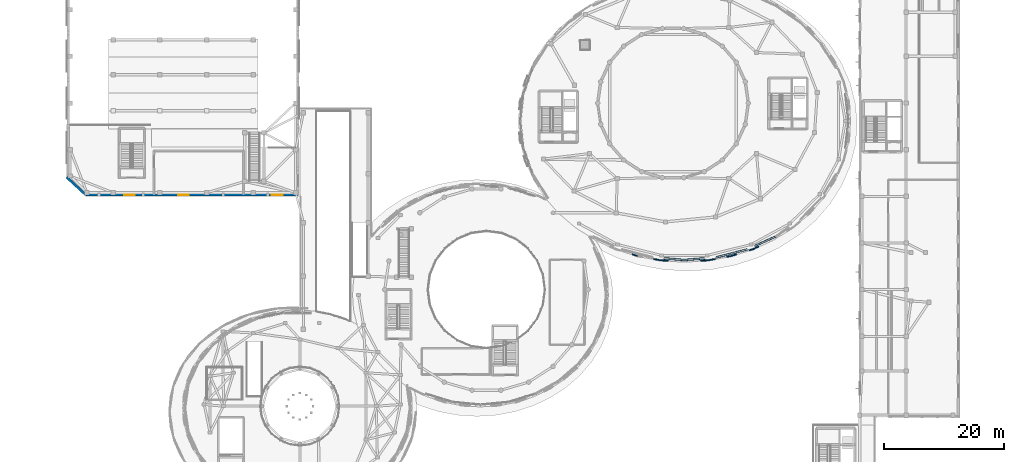
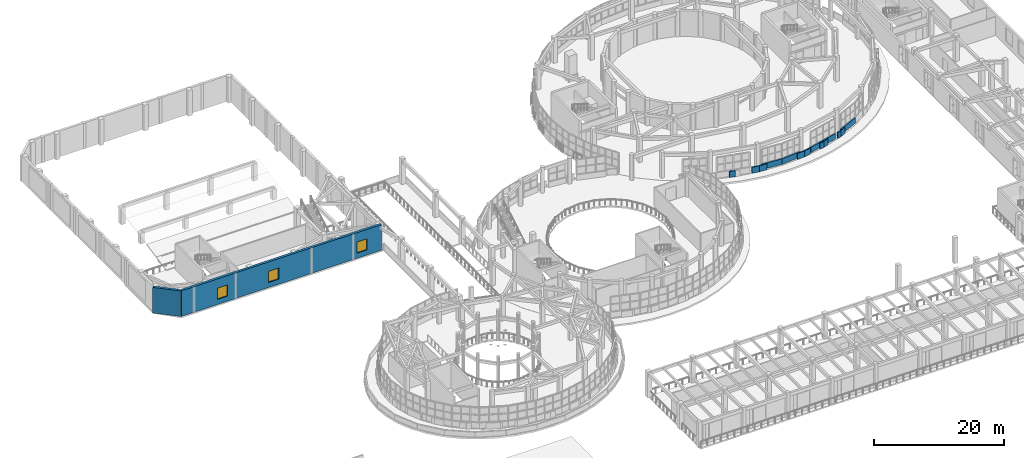
# One storey, part 74 of 98: 15 walls, 3 windows, 3 openings.
"""IFC4 building model written with IfcOpenShell, lengths in metres."""

import ifcopenshell
import ifcopenshell.guid

model = None  # the IFC model being written
_history = None  # IfcOwnerHistory: only IFC2X3 demands one
_inside = {}  # id of a spatial element -> (the spatial element, [elements in it])
_under = {}  # id of a project, library or spatial element -> (it, [spatial elements below it])
_declared = {}  # id of a project -> (the project, [libraries it declares])
_typed = {}  # id of a type object -> (the type object, [elements of that type])
_made_of = {}  # id of a material, layer set ... -> (it, [elements and type objects made of it])


def new_model(schema):
    """Start an empty IFC model of exactly this schema.

    Asked for "IFC4X3", IfcOpenShell would pick the latest addendum, in which some entities
    have other attributes; the version numbers below select the first issue.
    IFC2X3 requires an IfcOwnerHistory on every rooted entity: one is made here for all.
    """
    global model, _history
    if schema == "IFC4X3":
        model = ifcopenshell.file(schema_version=(4, 3, 0, 0))
    else:
        model = ifcopenshell.file(schema=schema)
    _inside.clear()
    _under.clear()
    _declared.clear()
    _typed.clear()
    _made_of.clear()
    _history = None
    if model.schema == "IFC2X3":
        org = make("IfcOrganization", Name="unknown")
        user = make(
            "IfcPersonAndOrganization",
            ThePerson=make("IfcPerson", FamilyName="unknown"),
            TheOrganization=org,
        )
        app = make(
            "IfcApplication",
            ApplicationDeveloper=org,
            Version="unknown",
            ApplicationFullName="unknown",
            ApplicationIdentifier="unknown",
        )
        _history = make(
            "IfcOwnerHistory",
            OwningUser=user,
            OwningApplication=app,
            ChangeAction="ADDED",
            CreationDate=0,
        )
    return model


def make(cls, **values):
    """One entity of the class cls with the attributes given. An attribute that is None is left unset."""
    return model.create_entity(
        cls, **{name: value for name, value in values.items() if value is not None}
    )


def rooted(cls, **values):
    """An entity with a GlobalId (a new one), such as an element, a storey or a relation."""
    return make(cls, GlobalId=ifcopenshell.guid.new(), OwnerHistory=_history, **values)


def si_unit(unit_type, name, prefix=None):
    """IfcSIUnit, for example si_unit("LENGTHUNIT", "METRE", prefix="MILLI")."""
    return make("IfcSIUnit", UnitType=unit_type, Prefix=prefix, Name=name)


def assignment(units):
    """IfcUnitAssignment: the units of a project."""
    return None if units is None else make("IfcUnitAssignment", Units=units)


def point(xyz):
    """IfcCartesianPoint."""
    return None if xyz is None else make("IfcCartesianPoint", Coordinates=xyz)


def direction(xyz):
    """IfcDirection."""
    return None if xyz is None else make("IfcDirection", DirectionRatios=xyz)


def frame(location, z_axis=None, x_axis=None):
    """IfcAxis2Placement3D, a coordinate frame: its origin and axes. An axis left out is left unset."""
    return make(
        "IfcAxis2Placement3D",
        Location=point(location),
        Axis=direction(z_axis),
        RefDirection=direction(x_axis),
    )


def frame_2d(location, x_axis=None):
    """IfcAxis2Placement2D, a coordinate frame in the plane: its origin and x axis."""
    return make(
        "IfcAxis2Placement2D", Location=point(location), RefDirection=direction(x_axis)
    )


def origin():
    """The frame at (0, 0, 0) with its axes left unset."""
    return frame((0.0, 0.0, 0.0))


def place(relative_to, where):
    """IfcLocalPlacement: puts the frame where relative to a parent placement (None: the world)."""
    return make(
        "IfcLocalPlacement", PlacementRelTo=relative_to, RelativePlacement=where
    )


def context(
    kind, dimensions, precision=None, world=None, true_north=None, identifier=None
):
    """IfcGeometricRepresentationContext, for example the 3D "Model" context."""
    return make(
        "IfcGeometricRepresentationContext",
        ContextIdentifier=identifier,
        ContextType=kind,
        CoordinateSpaceDimension=dimensions,
        Precision=precision,
        WorldCoordinateSystem=world,
        TrueNorth=true_north,
    )


def subcontext(parent, identifier, kind, view, scale=None):
    """IfcGeometricRepresentationSubContext, for example "Body" below "Model"."""
    return make(
        "IfcGeometricRepresentationSubContext",
        ContextIdentifier=identifier,
        ContextType=kind,
        ParentContext=parent,
        TargetScale=scale,
        TargetView=view,
    )


def project(units=None, contexts=None):
    """IfcProject with its units and contexts."""
    return rooted(
        "IfcProject",
        Name="project",
        RepresentationContexts=contexts,
        UnitsInContext=assignment(units),
    )


def spatial(cls, under=None, at=None, **own):
    """A site, building, storey or space (cls), placed at a placement, below another one or the project."""
    s = rooted(cls, ObjectPlacement=at, **own)
    if under is not None:
        _under.setdefault(under.id(), (under, []))[1].append(s)
    return s


def profile(cls, at=None, kind="AREA", **sizes):
    """A parametric profile (cls). Its sizes go by their IFC names, for example OverallWidth=200.0."""
    return make(cls, ProfileType=kind, Position=at, **sizes)


def rectangle(**sizes):
    """IfcRectangleProfileDef."""
    return profile("IfcRectangleProfileDef", **sizes)


def extrude(swept, where, along, depth):
    """IfcExtrudedAreaSolid: the profile swept, set in the frame where, extruded along a direction by depth."""
    return make(
        "IfcExtrudedAreaSolid",
        SweptArea=swept,
        Position=where,
        ExtrudedDirection=direction(along),
        Depth=depth,
    )


def shape(context_of_items, identifier, shape_type, items):
    """IfcShapeRepresentation: the items that make up one representation, for example the "Body"."""
    return make(
        "IfcShapeRepresentation",
        ContextOfItems=context_of_items,
        RepresentationIdentifier=identifier,
        RepresentationType=shape_type,
        Items=items,
    )


def material(Name=None, Category=None):
    """IfcMaterial."""
    return make("IfcMaterial", Name=Name, Category=Category)


def layer(
    of_material, thickness, ventilated=None, Name=None, Category=None, Priority=None
):
    """IfcMaterialLayer: one layer of a wall or slab, of a material (None: an air gap)."""
    return make(
        "IfcMaterialLayer",
        Material=of_material,
        LayerThickness=thickness,
        IsVentilated=ventilated,
        Name=Name,
        Category=Category,
        Priority=Priority,
    )


def layer_set(layers, Name=None):
    """IfcMaterialLayerSet."""
    return make("IfcMaterialLayerSet", MaterialLayers=layers, LayerSetName=Name)


def made_of(thing, what):
    """Note that an element or type object is made of a material, layer set ...; save() writes the relation."""
    if what is not None:
        _made_of.setdefault(what.id(), (what, []))[1].append(thing)
    return thing


def type_object(cls, material=None, **own):
    """A type object (cls), such as IfcWallType, which elements share."""
    return made_of(rooted(cls, **own), material)


def element(
    cls,
    number,
    at=None,
    inside=None,
    cuts=None,
    type_object=None,
    material=None,
    context=None,
    identifier="Body",
    shape_type=None,
    held_by="IfcProductDefinitionShape",
    body=None,
    shapes=None,
    **own,
):
    """One element of the class cls, such as IfcWall. Its Tag is "e" and its number.

    at: its placement. inside: the storey or other place that contains it. cuts: it is an
    opening in that element (IfcRelVoidsElement). A single representation is given by context,
    identifier, shape_type and body (its items); several are given by shapes. held_by: the class
    of the entity that holds the representations. save() writes the other relations.
    """
    e = rooted(cls, Tag="e%d" % number, ObjectPlacement=at, **own)
    if body is not None:
        shapes = [shape(context, identifier, shape_type, body)]
    if shapes is not None:
        e.Representation = make(held_by, Representations=shapes)
    if inside is not None:
        _inside.setdefault(inside.id(), (inside, []))[1].append(e)
    if cuts is not None:
        rooted(
            "IfcRelVoidsElement", RelatingBuildingElement=cuts, RelatedOpeningElement=e
        )
    if type_object is not None:
        _typed.setdefault(type_object.id(), (type_object, []))[1].append(e)
    return made_of(e, material)


def fill(opening, filler):
    """IfcRelFillsElement: the door or window that sits in an opening."""
    return rooted(
        "IfcRelFillsElement",
        RelatingOpeningElement=opening,
        RelatedBuildingElement=filler,
    )


def aggregate(whole, parts):
    """IfcRelAggregates: a whole, such as a stair, and the parts it consists of."""
    return rooted("IfcRelAggregates", RelatingObject=whole, RelatedObjects=parts)


def save(model, path):
    """Write the relations noted so far, then the file.

    IfcRelAggregates (storeys below a building ...), IfcRelContainedInSpatialStructure (elements
    in a storey), IfcRelDefinesByType, IfcRelAssociatesMaterial and IfcRelDeclares: one each for
    every whole, place, type object, material and project.
    """
    for whole, parts in _under.values():
        aggregate(whole, parts)
    for where, things in _inside.values():
        rooted(
            "IfcRelContainedInSpatialStructure",
            RelatedElements=things,
            RelatingStructure=where,
        )
    for kind, things in _typed.values():
        rooted("IfcRelDefinesByType", RelatedObjects=things, RelatingType=kind)
    for what, things in _made_of.values():
        rooted("IfcRelAssociatesMaterial", RelatedObjects=things, RelatingMaterial=what)
    for by, libraries in _declared.values():
        rooted("IfcRelDeclares", RelatingContext=by, RelatedDefinitions=libraries)
    model.write(path)


model = new_model("IFC4")

# Units and contexts
model_context = context("Model", 3, precision=1e-05, world=origin(), true_north=direction((0.0, 1.0)))
body_context = subcontext(model_context, "Body", "Model", "MODEL_VIEW")
ifc_project = project(units=[si_unit("LENGTHUNIT", "METRE"), si_unit("AREAUNIT", "SQUARE_METRE"), si_unit("VOLUMEUNIT", "CUBIC_METRE"), si_unit("PLANEANGLEUNIT", "RADIAN"), si_unit("MASSUNIT", "GRAM", prefix="KILO")], contexts=[model_context])

# Site, building, storey
site_placement = place(None, origin())
site = spatial("IfcSite", under=ifc_project, at=site_placement, CompositionType="ELEMENT")
building_placement = place(site_placement, origin())
building = spatial("IfcBuilding", under=site, at=building_placement, Name="Pelvatis Terrace Science Centre", CompositionType="ELEMENT")
storey_placement = place(building_placement, frame((0.0, 0.0, 5.39990234375)))
storey = spatial("IfcBuildingStorey", under=building, at=storey_placement, Name="L01", CompositionType="ELEMENT", Elevation=5.39990234375)

# Wall, openings, windows
ifc_material_1 = material(Name="Precast concrete C40/50 double acoustic shell", Category="concrete")
ifc_layer_1 = layer(ifc_material_1, 0.409912109375)
ifc_layer_set_1 = layer_set([ifc_layer_1], Name="Precast concrete C40/50 double acoustic shell")
wall_type_1 = type_object("IfcWallType", Name="WL-EXT-ACOU-410", PredefinedType="SOLIDWALL", material=ifc_layer_set_1)
wall_1_placement = place(storey_placement, frame((46.449951171875, 70.449951171875, 0.0), z_axis=(0.0, 0.0, 1.0), x_axis=(-1.0, 0.0, 0.0)))
wall_1 = element("IfcWall", 1, at=wall_1_placement, inside=storey, type_object=wall_type_1, Name="Theatre classical stone acoustic wall S (L01)", PredefinedType="SOLIDWALL", context=body_context, shape_type="SweptSolid", body=[
    extrude(rectangle(XDim=35.449951171875, YDim=0.409912109375, at=frame_2d((17.72509765625, 0.0))), origin(), (0.0, 0.0, 1.0), 4.800048828125),
])
opening_1_placement = place(wall_1_placement, frame((2.550048828125, 0.0, 0.949951171875)))
opening_1 = element("IfcOpeningElement", 2, at=opening_1_placement, cuts=wall_1, Name="Opening W-003", PredefinedType="OPENING", context=body_context, shape_type="SweptSolid", body=[
    extrude(rectangle(XDim=1.800048828125, YDim=2.10009765625, at=frame_2d((0.89990234375, 1.050048828125))), frame((0.0, 0.21484375, 0.0), z_axis=(0.0, -1.0, 0.0), x_axis=(1.0, 0.0, 0.0)), (0.0, 0.0, 1.0), 0.429931640625),
])
opening_2_placement = place(wall_1_placement, frame((18.199951171875, 0.0, 0.949951171875)))
opening_2 = element("IfcOpeningElement", 3, at=opening_2_placement, cuts=wall_1, Name="Opening W-004", PredefinedType="OPENING", context=body_context, shape_type="SweptSolid", body=[
    extrude(rectangle(XDim=1.800048828125, YDim=2.10009765625, at=frame_2d((0.89990234375, 1.050048828125))), frame((0.0, 0.21484375, 0.0), z_axis=(0.0, -1.0, 0.0), x_axis=(1.0, 0.0, 0.0)), (0.0, 0.0, 1.0), 0.429931640625),
])
opening_3_placement = place(wall_1_placement, frame((27.25, 0.0, 0.949951171875)))
opening_3 = element("IfcOpeningElement", 4, at=opening_3_placement, cuts=wall_1, Name="Opening W-005", PredefinedType="OPENING", context=body_context, shape_type="SweptSolid", body=[
    extrude(rectangle(XDim=1.800048828125, YDim=2.10009765625, at=frame_2d((0.89990234375, 1.050048828125))), frame((0.0, 0.21484375, 0.0), z_axis=(0.0, -1.0, 0.0), x_axis=(1.0, 0.0, 0.0)), (0.0, 0.0, 1.0), 0.429931640625),
])
ifc_material_2 = material(Name="Bronze-anodised aluminium and laminated low-e glass", Category="aluminium")
window_type = type_object("IfcWindowType", Name="WIN-LAB-1800x2100", PartitioningType="SINGLE_PANEL", PredefinedType="WINDOW", material=ifc_material_2)
window_1_placement = place(opening_1_placement, origin())
window_1 = element("IfcWindow", 5, at=window_1_placement, inside=storey, type_object=window_type, Name="Theatre south Art Deco foyer window W-003", OverallHeight=2.10009765625, OverallWidth=1.800048828125, PartitioningType="SINGLE_PANEL", PredefinedType="WINDOW", context=body_context, shape_type="SweptSolid", body=[
    extrude(rectangle(XDim=1.800048828125, YDim=2.10009765625, at=frame_2d((0.89990234375, 1.050048828125))), frame((0.0, 0.030029296875, 0.0), z_axis=(0.0, -1.0, 0.0), x_axis=(1.0, 0.0, 0.0)), (0.0, 0.0, 1.0), 0.06005859375),
])
fill(opening_1, window_1)
window_2_placement = place(opening_2_placement, origin())
window_2 = element("IfcWindow", 6, at=window_2_placement, inside=storey, type_object=window_type, Name="Theatre south Art Deco foyer window W-004", OverallHeight=2.10009765625, OverallWidth=1.800048828125, PartitioningType="SINGLE_PANEL", PredefinedType="WINDOW", context=body_context, shape_type="SweptSolid", body=[
    extrude(rectangle(XDim=1.800048828125, YDim=2.10009765625, at=frame_2d((0.89990234375, 1.050048828125))), frame((0.0, 0.030029296875, 0.0), z_axis=(0.0, -1.0, 0.0), x_axis=(1.0, 0.0, 0.0)), (0.0, 0.0, 1.0), 0.06005859375),
])
fill(opening_2, window_2)
window_3_placement = place(opening_3_placement, origin())
window_3 = element("IfcWindow", 7, at=window_3_placement, inside=storey, type_object=window_type, Name="Theatre south Art Deco foyer window W-005", OverallHeight=2.10009765625, OverallWidth=1.800048828125, PartitioningType="SINGLE_PANEL", PredefinedType="WINDOW", context=body_context, shape_type="SweptSolid", body=[
    extrude(rectangle(XDim=1.800048828125, YDim=2.10009765625, at=frame_2d((0.89990234375, 1.050048828125))), frame((0.0, 0.030029296875, 0.0), z_axis=(0.0, -1.0, 0.0), x_axis=(1.0, 0.0, 0.0)), (0.0, 0.0, 1.0), 0.06005859375),
])
fill(opening_3, window_3)

# Walls
wall_2_placement = place(storey_placement, frame((11.0, 70.449951171875, 0.0), z_axis=(0.0, 0.0, 1.0), x_axis=(-0.735244168043, 0.677802340922, 0.0)))
element("IfcWall", 8, at=wall_2_placement, inside=storey, type_object=wall_type_1, Name="Theatre classical stone acoustic wall SW (L01)", PredefinedType="SOLIDWALL", context=body_context, shape_type="SweptSolid", body=[
    extrude(rectangle(XDim=4.352294921875, YDim=0.409912109375, at=frame_2d((2.17626953125, 0.0))), origin(), (0.0, 0.0, 1.0), 4.800048828125),
])
ifc_material_3 = material(Name="White architectural precast concrete C40/50 spandrel", Category="concrete")
ifc_layer_2 = layer(ifc_material_3, 0.260009765625)
ifc_layer_set_2 = layer_set([ifc_layer_2], Name="White architectural precast concrete C40/50 spandrel")
wall_type_2 = type_object("IfcWallType", Name="WL-EXT-SPND-260", PredefinedType="SOLIDWALL", material=ifc_layer_set_2)
wall_3_placement = place(storey_placement, frame((107.731689453125, 59.8310546875, 0.0), z_axis=(0.0, 0.0, 1.0), x_axis=(0.996538282285, -0.083135142633, 0.0)))
element("IfcWall", 9, at=wall_3_placement, inside=storey, type_object=wall_type_2, Name="V1 white spiral spandrel band 24 (L01)", PredefinedType="SOLIDWALL", context=body_context, shape_type="SweptSolid", body=[
    extrude(rectangle(XDim=3.380126953125, YDim=0.260009765625, at=frame_2d((1.68994140625, 0.0))), origin(), (0.0, 0.0, 1.0), 1.02001953125),
])
wall_4_placement = place(storey_placement, frame((111.10009765625, 59.550048828125, 0.0), z_axis=(0.0, 0.0, 1.0), x_axis=(0.996537783026, 0.083141127012, 0.0)))
element("IfcWall", 10, at=wall_4_placement, inside=storey, type_object=wall_type_2, Name="V1 white spiral spandrel band 25 (L01)", PredefinedType="SOLIDWALL", context=body_context, shape_type="SweptSolid", body=[
    extrude(rectangle(XDim=3.3798828125, YDim=0.260009765625, at=frame_2d((1.68994140625, 0.0))), origin(), (0.0, 0.0, 1.0), 1.02001953125),
])
wall_5_placement = place(storey_placement, frame((116.455078125, 59.99658203125, 0.0), z_axis=(0.0, 0.0, 1.0), x_axis=(0.968536268756, 0.248872449469, 0.0)))
element("IfcWall", 11, at=wall_5_placement, inside=storey, type_object=wall_type_2, Name="V1 white spiral spandrel band 26 (L01)", PredefinedType="SOLIDWALL", context=body_context, shape_type="SweptSolid", body=[
    extrude(rectangle(XDim=5.31689453125, YDim=0.260009765625, at=frame_2d((2.658447265625, 0.0))), origin(), (0.0, 0.0, 1.0), 1.02001953125),
])
wall_6_placement = place(storey_placement, frame((122.9287109375, 61.919189453125, 0.0), z_axis=(0.0, 0.0, 1.0), x_axis=(0.910988741799, 0.412431221314, 0.0)))
element("IfcWall", 12, at=wall_6_placement, inside=storey, type_object=wall_type_2, Name="V1 white spiral spandrel band 27 (L01)", PredefinedType="SOLIDWALL", context=body_context, shape_type="SweptSolid", body=[
    extrude(rectangle(XDim=3.755859375, YDim=0.260009765625, at=frame_2d((1.8779296875, 0.0))), origin(), (0.0, 0.0, 1.0), 1.02001953125),
])
ifc_material_4 = material(Name="White architectural precast concrete C40/50 spandrel parapet", Category="concrete")
ifc_layer_3 = layer(ifc_material_4, 0.18994140625)
ifc_layer_set_3 = layer_set([ifc_layer_3], Name="White architectural precast concrete C40/50 spandrel parapet")
wall_type_3 = type_object("IfcWallType", Name="WL-PAR-190", PredefinedType="PARAPET", material=ifc_layer_set_3)
wall_7_placement = place(storey_placement, frame((123.510498046875, 61.79833984375, 0.0), z_axis=(0.0, 0.0, 1.0), x_axis=(-0.907268626337, -0.420551589777, 0.0)))
element("IfcWall", 13, at=wall_7_placement, inside=storey, type_object=wall_type_3, Name="Perimeter edge closure parapet PW-EDG-L01-156", PredefinedType="PARAPET", context=body_context, shape_type="SweptSolid", body=[
    extrude(rectangle(XDim=0.97412109375, YDim=0.18994140625, at=frame_2d((0.487060546875, 0.0))), origin(), (0.0, 0.0, 1.0), 1.1201171875),
])
wall_8_placement = place(storey_placement, frame((122.626708984375, 61.388671875, 0.0), z_axis=(0.0, 0.0, 1.0), x_axis=(-0.953369001668, -0.301807134872, 0.0)))
element("IfcWall", 14, at=wall_8_placement, inside=storey, type_object=wall_type_3, Name="Perimeter edge closure parapet PW-EDG-L01-157", PredefinedType="PARAPET", context=body_context, shape_type="SweptSolid", body=[
    extrude(rectangle(XDim=0.743408203125, YDim=0.18994140625, at=frame_2d((0.37158203125, 0.0))), origin(), (0.0, 0.0, 1.0), 1.1201171875),
])
wall_9_placement = place(storey_placement, frame((119.817138671875, 60.499267578125, 0.0), z_axis=(0.0, 0.0, 1.0), x_axis=(-0.953336020357, -0.301911298713, 0.0)))
element("IfcWall", 15, at=wall_9_placement, inside=storey, type_object=wall_type_3, Name="Perimeter edge closure parapet PW-EDG-L01-158", PredefinedType="PARAPET", context=body_context, shape_type="SweptSolid", body=[
    extrude(rectangle(XDim=0.943603515625, YDim=0.18994140625, at=frame_2d((0.4716796875, 0.0))), origin(), (0.0, 0.0, 1.0), 1.1201171875),
])
wall_10_placement = place(storey_placement, frame((118.91748046875, 60.21435546875, 0.0), z_axis=(0.0, 0.0, 1.0), x_axis=(-0.983380405717, -0.181557091989, 0.0)))
element("IfcWall", 16, at=wall_10_placement, inside=storey, type_object=wall_type_3, Name="Perimeter edge closure parapet PW-EDG-L01-159", PredefinedType="PARAPET", context=body_context, shape_type="SweptSolid", body=[
    extrude(rectangle(XDim=0.755615234375, YDim=0.18994140625, at=frame_2d((0.3779296875, 0.0))), origin(), (0.0, 0.0, 1.0), 1.1201171875),
])
wall_11_placement = place(storey_placement, frame((116.2412109375, 59.72021484375, 0.0), z_axis=(0.0, 0.0, 1.0), x_axis=(-0.983363368722, -0.181649346424, 0.0)))
element("IfcWall", 17, at=wall_11_placement, inside=storey, type_object=wall_type_3, Name="Perimeter edge closure parapet PW-EDG-L01-160", PredefinedType="PARAPET", context=body_context, shape_type="SweptSolid", body=[
    extrude(rectangle(XDim=1.21240234375, YDim=0.18994140625, at=frame_2d((0.606201171875, 0.0))), origin(), (0.0, 0.0, 1.0), 1.1201171875),
])
for number, where, z_axis, x_axis, name in (
    (18, (115.049072265625, 59.5, 0.0), (0.0, 0.0, 1.0), (-0.99815741267, -0.060677669144, 0.0), "Perimeter edge closure parapet PW-EDG-L01-161"),
    (19, (108.39990234375, 59.424072265625, 0.0), (0.0, 0.0, 1.0), (-0.99815741267, 0.060677669144, 0.0), "Perimeter edge closure parapet PW-EDG-L01-162"),
):
    element("IfcWall", number, at=place(storey_placement, frame(where, z_axis=z_axis, x_axis=x_axis)), inside=storey, type_object=wall_type_3, Name=name, PredefinedType="PARAPET", context=body_context, shape_type="SweptSolid", body=[
        extrude(rectangle(XDim=1.251220703125, YDim=0.18994140625, at=frame_2d((0.62548828125, 0.0))), origin(), (0.0, 0.0, 1.0), 1.1201171875),
    ])
wall_12_placement = place(storey_placement, frame((107.15087890625, 59.5, 0.0), z_axis=(0.0, 0.0, 1.0), x_axis=(-0.983363368722, 0.181649346424, 0.0)))
element("IfcWall", 20, at=wall_12_placement, inside=storey, type_object=wall_type_3, Name="Perimeter edge closure parapet PW-EDG-L01-163", PredefinedType="PARAPET", context=body_context, shape_type="SweptSolid", body=[
    extrude(rectangle(XDim=1.21240234375, YDim=0.18994140625, at=frame_2d((0.606201171875, 0.0))), origin(), (0.0, 0.0, 1.0), 1.1201171875),
])
wall_13_placement = place(storey_placement, frame((103.282470703125, 60.21435546875, 0.0), z_axis=(0.0, 0.0, 1.0), x_axis=(-0.953336020357, 0.301911298713, 0.0)))
element("IfcWall", 21, at=wall_13_placement, inside=storey, type_object=wall_type_3, Name="Perimeter edge closure parapet PW-EDG-L01-165", PredefinedType="PARAPET", context=body_context, shape_type="SweptSolid", body=[
    extrude(rectangle(XDim=0.943603515625, YDim=0.18994140625, at=frame_2d((0.4716796875, 0.0))), origin(), (0.0, 0.0, 1.0), 1.1201171875),
])

save(model, "model.ifc")
